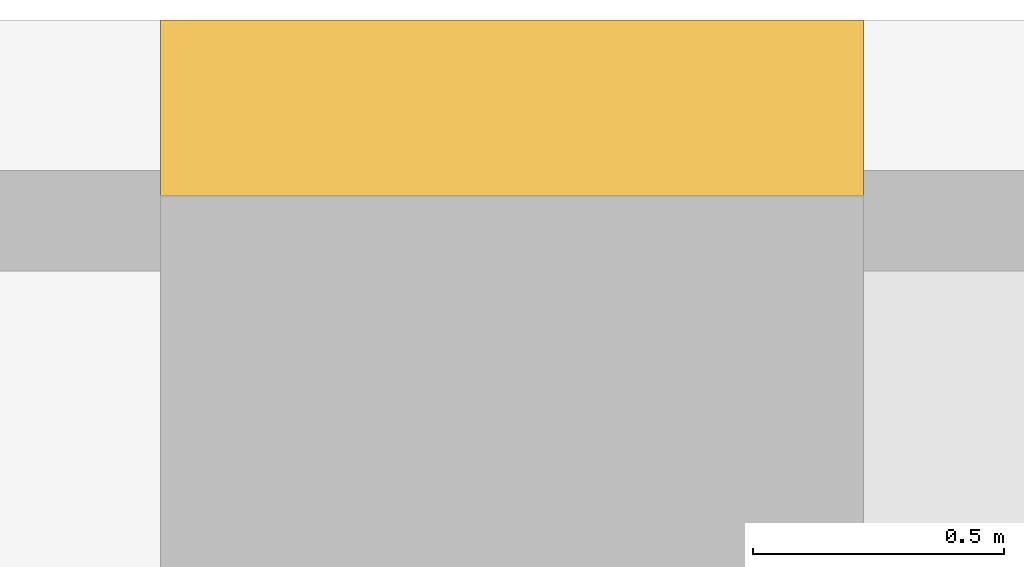
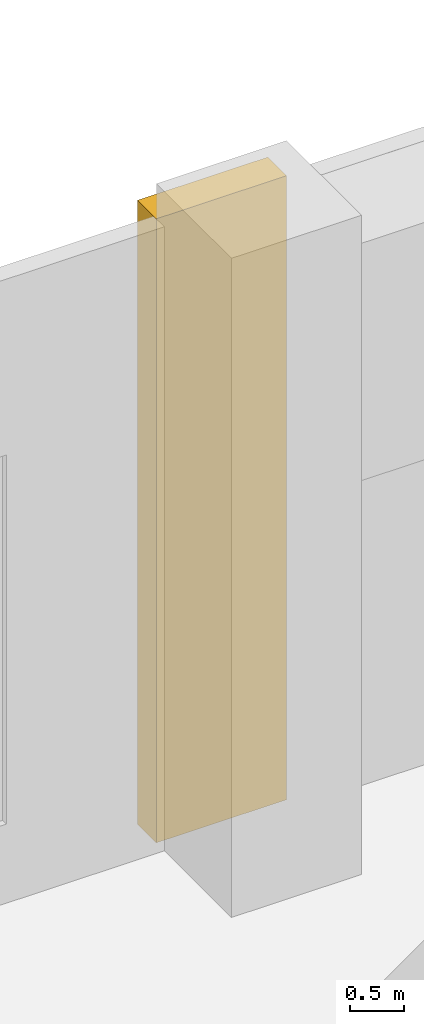
# One storey, part 25 of 29: 1 covering.
"""IFC4 building model written with IfcOpenShell, lengths in metres."""

import ifcopenshell
import ifcopenshell.guid

model = None  # the IFC model being written
_history = None  # IfcOwnerHistory: only IFC2X3 demands one
_inside = {}  # id of a spatial element -> (the spatial element, [elements in it])
_under = {}  # id of a project, library or spatial element -> (it, [spatial elements below it])
_declared = {}  # id of a project -> (the project, [libraries it declares])
_typed = {}  # id of a type object -> (the type object, [elements of that type])
_made_of = {}  # id of a material, layer set ... -> (it, [elements and type objects made of it])


def new_model(schema):
    """Start an empty IFC model of exactly this schema.

    Asked for "IFC4X3", IfcOpenShell would pick the latest addendum, in which some entities
    have other attributes; the version numbers below select the first issue.
    IFC2X3 requires an IfcOwnerHistory on every rooted entity: one is made here for all.
    """
    global model, _history
    if schema == "IFC4X3":
        model = ifcopenshell.file(schema_version=(4, 3, 0, 0))
    else:
        model = ifcopenshell.file(schema=schema)
    _inside.clear()
    _under.clear()
    _declared.clear()
    _typed.clear()
    _made_of.clear()
    _history = None
    if model.schema == "IFC2X3":
        org = make("IfcOrganization", Name="unknown")
        user = make(
            "IfcPersonAndOrganization",
            ThePerson=make("IfcPerson", FamilyName="unknown"),
            TheOrganization=org,
        )
        app = make(
            "IfcApplication",
            ApplicationDeveloper=org,
            Version="unknown",
            ApplicationFullName="unknown",
            ApplicationIdentifier="unknown",
        )
        _history = make(
            "IfcOwnerHistory",
            OwningUser=user,
            OwningApplication=app,
            ChangeAction="ADDED",
            CreationDate=0,
        )
    return model


def make(cls, **values):
    """One entity of the class cls with the attributes given. An attribute that is None is left unset."""
    return model.create_entity(
        cls, **{name: value for name, value in values.items() if value is not None}
    )


def rooted(cls, **values):
    """An entity with a GlobalId (a new one), such as an element, a storey or a relation."""
    return make(cls, GlobalId=ifcopenshell.guid.new(), OwnerHistory=_history, **values)


def si_unit(unit_type, name, prefix=None):
    """IfcSIUnit, for example si_unit("LENGTHUNIT", "METRE", prefix="MILLI")."""
    return make("IfcSIUnit", UnitType=unit_type, Prefix=prefix, Name=name)


def assignment(units):
    """IfcUnitAssignment: the units of a project."""
    return None if units is None else make("IfcUnitAssignment", Units=units)


def point(xyz):
    """IfcCartesianPoint."""
    return None if xyz is None else make("IfcCartesianPoint", Coordinates=xyz)


def direction(xyz):
    """IfcDirection."""
    return None if xyz is None else make("IfcDirection", DirectionRatios=xyz)


def frame(location, z_axis=None, x_axis=None):
    """IfcAxis2Placement3D, a coordinate frame: its origin and axes. An axis left out is left unset."""
    return make(
        "IfcAxis2Placement3D",
        Location=point(location),
        Axis=direction(z_axis),
        RefDirection=direction(x_axis),
    )


def origin():
    """The frame at (0, 0, 0) with its axes left unset."""
    return frame((0.0, 0.0, 0.0))


def place(relative_to, where):
    """IfcLocalPlacement: puts the frame where relative to a parent placement (None: the world)."""
    return make(
        "IfcLocalPlacement", PlacementRelTo=relative_to, RelativePlacement=where
    )


def context(
    kind, dimensions, precision=None, world=None, true_north=None, identifier=None
):
    """IfcGeometricRepresentationContext, for example the 3D "Model" context."""
    return make(
        "IfcGeometricRepresentationContext",
        ContextIdentifier=identifier,
        ContextType=kind,
        CoordinateSpaceDimension=dimensions,
        Precision=precision,
        WorldCoordinateSystem=world,
        TrueNorth=true_north,
    )


def subcontext(parent, identifier, kind, view, scale=None):
    """IfcGeometricRepresentationSubContext, for example "Body" below "Model"."""
    return make(
        "IfcGeometricRepresentationSubContext",
        ContextIdentifier=identifier,
        ContextType=kind,
        ParentContext=parent,
        TargetScale=scale,
        TargetView=view,
    )


def project(units=None, contexts=None):
    """IfcProject with its units and contexts."""
    return rooted(
        "IfcProject",
        Name="project",
        RepresentationContexts=contexts,
        UnitsInContext=assignment(units),
    )


def spatial(cls, under=None, at=None, **own):
    """A site, building, storey or space (cls), placed at a placement, below another one or the project."""
    s = rooted(cls, ObjectPlacement=at, **own)
    if under is not None:
        _under.setdefault(under.id(), (under, []))[1].append(s)
    return s


def polyline(points):
    """IfcPolyline through the points."""
    return make("IfcPolyline", Points=[point(p) for p in points])


def outline(outer, holes=None, kind="AREA"):
    """IfcArbitraryClosedProfileDef: a profile drawn as a closed curve; with holes, ...WithVoids."""
    if holes is None:
        return make("IfcArbitraryClosedProfileDef", ProfileType=kind, OuterCurve=outer)
    return make(
        "IfcArbitraryProfileDefWithVoids",
        ProfileType=kind,
        OuterCurve=outer,
        InnerCurves=holes,
    )


def extrude(swept, where, along, depth):
    """IfcExtrudedAreaSolid: the profile swept, set in the frame where, extruded along a direction by depth."""
    return make(
        "IfcExtrudedAreaSolid",
        SweptArea=swept,
        Position=where,
        ExtrudedDirection=direction(along),
        Depth=depth,
    )


def shape(context_of_items, identifier, shape_type, items):
    """IfcShapeRepresentation: the items that make up one representation, for example the "Body"."""
    return make(
        "IfcShapeRepresentation",
        ContextOfItems=context_of_items,
        RepresentationIdentifier=identifier,
        RepresentationType=shape_type,
        Items=items,
    )


def material(Name=None, Category=None):
    """IfcMaterial."""
    return make("IfcMaterial", Name=Name, Category=Category)


def made_of(thing, what):
    """Note that an element or type object is made of a material, layer set ...; save() writes the relation."""
    if what is not None:
        _made_of.setdefault(what.id(), (what, []))[1].append(thing)
    return thing


def type_object(cls, material=None, **own):
    """A type object (cls), such as IfcWallType, which elements share."""
    return made_of(rooted(cls, **own), material)


def element(
    cls,
    number,
    at=None,
    inside=None,
    cuts=None,
    type_object=None,
    material=None,
    context=None,
    identifier="Body",
    shape_type=None,
    held_by="IfcProductDefinitionShape",
    body=None,
    shapes=None,
    **own,
):
    """One element of the class cls, such as IfcWall. Its Tag is "e" and its number.

    at: its placement. inside: the storey or other place that contains it. cuts: it is an
    opening in that element (IfcRelVoidsElement). A single representation is given by context,
    identifier, shape_type and body (its items); several are given by shapes. held_by: the class
    of the entity that holds the representations. save() writes the other relations.
    """
    e = rooted(cls, Tag="e%d" % number, ObjectPlacement=at, **own)
    if body is not None:
        shapes = [shape(context, identifier, shape_type, body)]
    if shapes is not None:
        e.Representation = make(held_by, Representations=shapes)
    if inside is not None:
        _inside.setdefault(inside.id(), (inside, []))[1].append(e)
    if cuts is not None:
        rooted(
            "IfcRelVoidsElement", RelatingBuildingElement=cuts, RelatedOpeningElement=e
        )
    if type_object is not None:
        _typed.setdefault(type_object.id(), (type_object, []))[1].append(e)
    return made_of(e, material)


def aggregate(whole, parts):
    """IfcRelAggregates: a whole, such as a stair, and the parts it consists of."""
    return rooted("IfcRelAggregates", RelatingObject=whole, RelatedObjects=parts)


def save(model, path):
    """Write the relations noted so far, then the file.

    IfcRelAggregates (storeys below a building ...), IfcRelContainedInSpatialStructure (elements
    in a storey), IfcRelDefinesByType, IfcRelAssociatesMaterial and IfcRelDeclares: one each for
    every whole, place, type object, material and project.
    """
    for whole, parts in _under.values():
        aggregate(whole, parts)
    for where, things in _inside.values():
        rooted(
            "IfcRelContainedInSpatialStructure",
            RelatedElements=things,
            RelatingStructure=where,
        )
    for kind, things in _typed.values():
        rooted("IfcRelDefinesByType", RelatedObjects=things, RelatingType=kind)
    for what, things in _made_of.values():
        rooted("IfcRelAssociatesMaterial", RelatedObjects=things, RelatingMaterial=what)
    for by, libraries in _declared.values():
        rooted("IfcRelDeclares", RelatingContext=by, RelatedDefinitions=libraries)
    model.write(path)


model = new_model("IFC4")

# Units and contexts
model_context = context("Model", 3, precision=1e-05, world=origin(), true_north=direction((0.0, 1.0)))
body_context = subcontext(model_context, "Body", "Model", "MODEL_VIEW")
ifc_project = project(units=[si_unit("LENGTHUNIT", "METRE"), si_unit("AREAUNIT", "SQUARE_METRE"), si_unit("VOLUMEUNIT", "CUBIC_METRE"), si_unit("PLANEANGLEUNIT", "RADIAN"), si_unit("MASSUNIT", "GRAM", prefix="KILO")], contexts=[model_context])

# Site, building, storey
site_placement = place(None, origin())
site = spatial("IfcSite", under=ifc_project, at=site_placement, CompositionType="ELEMENT")
building_placement = place(site_placement, origin())
building = spatial("IfcBuilding", under=site, at=building_placement, Name="Vermilion Ogive Tower", CompositionType="ELEMENT")
storey_placement = place(building_placement, frame((0.0, 0.0, 12.5)))
storey = spatial("IfcBuildingStorey", under=building, at=storey_placement, Name="L02", CompositionType="ELEMENT", Elevation=12.5)

# Covering
ifc_material = material(Name="Stone cladding", Category="masonry")
covering_type = type_object("IfcCoveringType", Name="Stone pier", PredefinedType="CLADDING", material=ifc_material)
covering_placement = place(storey_placement, origin())
element("IfcCovering", 1, at=covering_placement, inside=storey, type_object=covering_type, Name="Stone pier P+252+294", PredefinedType="CLADDING", context=body_context, shape_type="SweptSolid", body=[
    extrude(outline(polyline([(24.5, 30.449951171875), (25.89990234375, 30.449951171875), (25.89990234375, 30.10009765625), (24.5, 30.10009765625), (24.5, 30.449951171875)])), origin(), (0.0, 0.0, 1.0), 7.10009765625),
])

save(model, "model.ifc")
